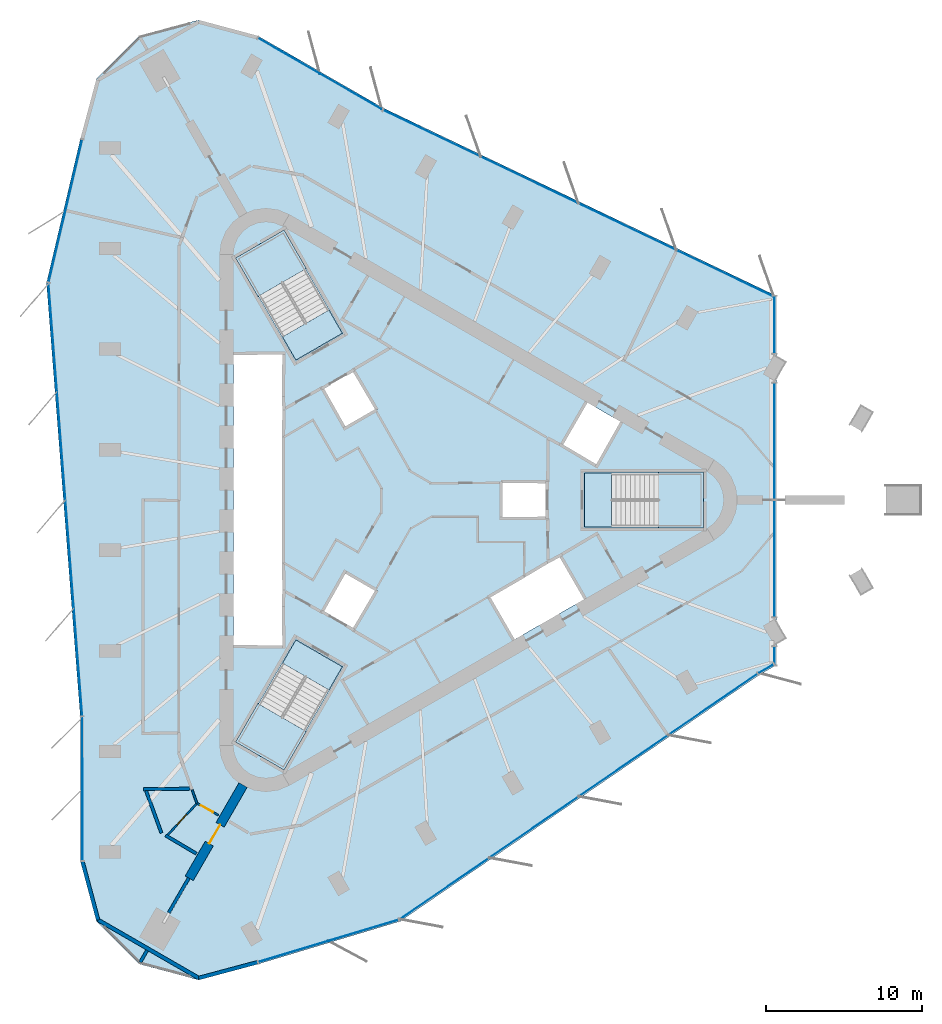
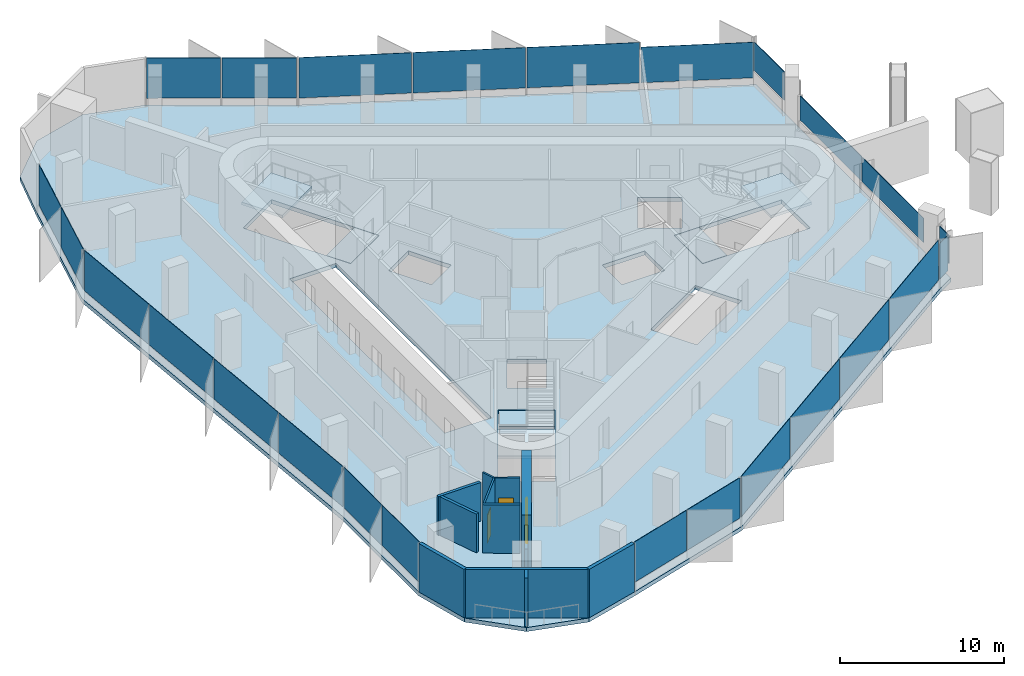
# One storey, part 6 of 12: 25 plates, 12 walls, 7 slabs, 3 doors, 3 openings, 14 elements without a shape of their own.
"""IFC4 building model written with IfcOpenShell, lengths in metres."""

from ifc_helpers import new_model, si_unit, direction, frame, frame_2d, origin, origin_2d, place, context, subcontext, project, spatial, polyline, rectangle, outline, extrude, material, layer, layer_set, type_object, element, fill, aggregate, save


model = new_model("IFC4")

# Units and contexts
model_context = context("Model", 3, precision=1e-05, world=origin(), true_north=direction((0.0, 1.0)))
body_context = subcontext(model_context, "Body", "Model", "MODEL_VIEW")
ifc_project = project(units=[si_unit("LENGTHUNIT", "METRE"), si_unit("AREAUNIT", "SQUARE_METRE"), si_unit("VOLUMEUNIT", "CUBIC_METRE"), si_unit("PLANEANGLEUNIT", "RADIAN"), si_unit("MASSUNIT", "GRAM", prefix="KILO")], contexts=[model_context])

# Site, building, storey
site_placement = place(None, origin())
site = spatial("IfcSite", under=ifc_project, at=site_placement, CompositionType="ELEMENT")
building_placement = place(site_placement, origin())
building = spatial("IfcBuilding", under=site, at=building_placement, Name="Tanit Gate Tower", CompositionType="ELEMENT")
storey_placement = place(building_placement, frame((0.0, 0.0, 368.89990234375)))
storey = spatial("IfcBuildingStorey", under=building, at=storey_placement, Name="L84", CompositionType="ELEMENT", Elevation=368.89990234375)

# Slab
ifc_material_1 = material(Name="Concrete C35/45", Category="concrete")
ifc_layer_1 = layer(ifc_material_1, 0.300048828125)
ifc_layer_set_1 = layer_set([ifc_layer_1], Name="FLOOR SLAB 300 C35/45")
slab_type_1 = type_object("IfcSlabType", Name="FLOOR SLAB 300 C35/45", PredefinedType="FLOOR", material=ifc_layer_set_1)
slab_1_placement = place(storey_placement, frame((0.0, 0.0, -0.2998046875)))
element("IfcSlab", 1, at=slab_1_placement, inside=storey, type_object=slab_type_1, Name="FLOOR SLAB L84", PredefinedType="FLOOR", context=body_context, shape_type="SweptSolid", body=[
    extrude(outline(polyline([(22.59765625, -11.23974609375), (-0.477783203125, -27.072998046875), (-9.62548828125, -29.8291015625), (-13.423583984375, -30.8466796875), (-17.2216796875, -29.8291015625), (-20.002197265625, -27.048583984375), (-21.02001953125, -23.25048828125), (-21.03271484375, -13.9501953125), (-23.207275390625, 13.9501953125), (-21.02001953125, 23.25048828125), (-20.002197265625, 27.048583984375), (-17.2216796875, 29.8291015625), (-13.423583984375, 30.8466796875), (-9.62548828125, 29.8291015625), (-1.56494140625, 25.18994140625), (23.684814453125, 13.122802734375), (30.6455078125, 6.57861328125), (23.699951171875, 13.108642578125), (23.699951171875, -10.601318359375), (30.6455078125, -6.57861328125), (22.59765625, -11.23974609375)]), holes=[polyline([(11.3701171875, 1.72998046875), (18.929931640625, 1.72998046875), (18.929931640625, -1.72998046875), (11.3701171875, -1.72998046875), (11.3701171875, 1.72998046875)]), polyline([(12.158935546875, 2.159912109375), (9.82080078125, 3.510009765625), (11.44580078125, 6.324462890625), (13.783935546875, 4.974609375), (12.158935546875, 2.159912109375)]), polyline([(11.44580078125, -6.324462890625), (6.76904296875, -9.0244140625), (5.14404296875, -6.2099609375), (9.82080078125, -3.510009765625), (11.44580078125, -6.324462890625)]), polyline([(6.0, 1.199951171875), (9.0, 1.199951171875), (9.0, -1.199951171875), (6.0, -1.199951171875), (6.0, 1.199951171875)]), polyline([(-4.039306640625, 4.59619140625), (-5.539306640625, 7.194091796875), (-3.460693359375, 8.394287109375), (-1.960693359375, 5.796142578125), (-4.039306640625, 4.59619140625)]), polyline([(-1.960693359375, -5.796142578125), (-3.460693359375, -8.394287109375), (-5.539306640625, -7.194091796875), (-4.039306640625, -4.59619140625), (-1.960693359375, -5.796142578125)]), polyline([(-7.18310546875, 8.981689453125), (-10.963134765625, 15.52880859375), (-7.966796875, 17.2587890625), (-4.186767578125, 10.711669921875), (-7.18310546875, 8.981689453125)]), polyline([(-4.186767578125, -10.711669921875), (-7.966796875, -17.2587890625), (-10.963134765625, -15.52880859375), (-7.18310546875, -8.981689453125), (-4.186767578125, -10.711669921875)]), polyline([(-11.199951171875, -9.449951171875), (-11.199951171875, 9.449951171875), (-7.949951171875, 9.449951171875), (-7.949951171875, -9.449951171875), (-11.199951171875, -9.449951171875)])]), origin(), (0.0, 0.0, 1.0), 0.2998046875),
])

# Curtain wall, plates
ifc_material_2 = material(Name="Aluminium bronze anodised and glass", Category="aluminium")
curtain_wall_type_1 = type_object("IfcCurtainWallType", Name="Curtain wall typical high", PredefinedType="NOTDEFINED", material=ifc_material_2)
curtain_wall_1_placement = place(storey_placement, origin())
curtain_wall_1 = element("IfcCurtainWall", 2, at=curtain_wall_1_placement, inside=storey, type_object=curtain_wall_type_1, Name="Curtain wall L84 NE2c", PredefinedType="NOTDEFINED")
ifc_material_3 = material(Name="Glass tinted", Category="glass")
ifc_layer_2 = layer(ifc_material_3, 0.028076171875)
ifc_layer_set_2 = layer_set([ifc_layer_2], Name="Glass panel 28 typical high")
plate_type_1 = type_object("IfcPlateType", Name="Glass panel 28 typical high", PredefinedType="CURTAIN_PANEL", material=ifc_layer_set_2)
plate_1_placement = place(storey_placement, frame((20.4033203125, 14.55810546875, 0.60009765625), z_axis=(0.0, 0.0, 1.0), x_axis=(-0.902257718288, 0.431197182029, 0.0)))
plate_1 = element("IfcPlate", 3, at=plate_1_placement, type_object=plate_type_1, Name="Glass panel L84 NE2c.1", PredefinedType="CURTAIN_PANEL", context=body_context, shape_type="SweptSolid", body=[
    extrude(rectangle(XDim=6.8828125, YDim=0.028076171875, at=origin_2d()), origin(), (0.0, 0.0, 1.0), 2.639892578125),
])
plate_2_placement = place(storey_placement, frame((14.120849609375, 17.560546875, 0.60009765625), z_axis=(0.0, 0.0, 1.0), x_axis=(-0.902257718288, 0.431197182029, 0.0)))
plate_2 = element("IfcPlate", 4, at=plate_2_placement, type_object=plate_type_1, Name="Glass panel L84 NE2c.2", PredefinedType="CURTAIN_PANEL", context=body_context, shape_type="SweptSolid", body=[
    extrude(rectangle(XDim=6.8828125, YDim=0.028076171875, at=origin_2d()), origin(), (0.0, 0.0, 1.0), 3.0),
])
plate_3_placement = place(storey_placement, frame((7.838623046875, 20.56298828125, 0.60009765625), z_axis=(0.0, 0.0, 1.0), x_axis=(-0.902257718288, 0.431197182029, 0.0)))
plate_3 = element("IfcPlate", 5, at=plate_3_placement, type_object=plate_type_1, Name="Glass panel L84 NE2c.3", PredefinedType="CURTAIN_PANEL", context=body_context, shape_type="SweptSolid", body=[
    extrude(rectangle(XDim=6.8828125, YDim=0.028076171875, at=origin_2d()), origin(), (0.0, 0.0, 1.0), 3.0),
])
plate_4_placement = place(storey_placement, frame((1.556396484375, 23.565185546875, 0.60009765625), z_axis=(0.0, 0.0, 1.0), x_axis=(-0.902257718288, 0.431197182029, 0.0)))
plate_4 = element("IfcPlate", 6, at=plate_4_placement, type_object=plate_type_1, Name="Glass panel L84 NE2c.4", PredefinedType="CURTAIN_PANEL", context=body_context, shape_type="SweptSolid", body=[
    extrude(rectangle(XDim=6.8828125, YDim=0.028076171875, at=origin_2d()), origin(), (0.0, 0.0, 1.0), 3.0),
])
aggregate(curtain_wall_1, [plate_1, plate_2, plate_3, plate_4])

curtain_wall_2_placement = place(storey_placement, origin())
curtain_wall_2 = element("IfcCurtainWall", 7, at=curtain_wall_2_placement, inside=storey, type_object=curtain_wall_type_1, Name="Curtain wall L84 NE3", PredefinedType="NOTDEFINED")
plate_5_placement = place(storey_placement, frame((-3.65087890625, 26.251953125, 0.60009765625), z_axis=(0.0, 0.0, 1.0), x_axis=(-0.866710478104, 0.498811534695, 0.0)))
plate_5 = element("IfcPlate", 8, at=plate_5_placement, type_object=plate_type_1, Name="Glass panel L84 NE3.1", PredefinedType="CURTAIN_PANEL", context=body_context, shape_type="SweptSolid", body=[
    extrude(rectangle(XDim=4.5244140625, YDim=0.028076171875, at=origin_2d()), origin(), (0.0, 0.0, 1.0), 3.0),
])
plate_6_placement = place(storey_placement, frame((-7.641845703125, 28.548828125, 0.60009765625), z_axis=(0.0, 0.0, 1.0), x_axis=(-0.866710478104, 0.498811534695, 0.0)))
plate_6 = element("IfcPlate", 9, at=plate_6_placement, type_object=plate_type_1, Name="Glass panel L84 NE3.2", PredefinedType="CURTAIN_PANEL", context=body_context, shape_type="SweptSolid", body=[
    extrude(rectangle(XDim=4.524658203125, YDim=0.028076171875, at=origin_2d()), origin(), (0.0, 0.0, 1.0), 3.0),
])
aggregate(curtain_wall_2, [plate_5, plate_6])

curtain_wall_3_placement = place(storey_placement, origin())
curtain_wall_3 = element("IfcCurtainWall", 10, at=curtain_wall_3_placement, inside=storey, type_object=curtain_wall_type_1, Name="Curtain wall L84 W1", PredefinedType="NOTDEFINED")
plate_7_placement = place(storey_placement, frame((-21.45361328125, 20.8818359375, 0.60009765625), z_axis=(0.0, 0.0, 1.0), x_axis=(-0.228936006103, -0.973441474928, 0.0)))
plate_7 = element("IfcPlate", 11, at=plate_7_placement, type_object=plate_type_1, Name="Glass panel L84 W1.1", PredefinedType="CURTAIN_PANEL", context=body_context, shape_type="SweptSolid", body=[
    extrude(rectangle(XDim=4.646728515625, YDim=0.028076171875, at=origin_2d()), origin(), (0.0, 0.0, 1.0), 3.0),
])
plate_8_placement = place(storey_placement, frame((-22.535888671875, 16.280517578125, 0.60009765625), z_axis=(0.0, 0.0, 1.0), x_axis=(-0.228936006103, -0.973441474928, 0.0)))
plate_8 = element("IfcPlate", 12, at=plate_8_placement, type_object=plate_type_1, Name="Glass panel L84 W1.2", PredefinedType="CURTAIN_PANEL", context=body_context, shape_type="SweptSolid", body=[
    extrude(rectangle(XDim=4.646728515625, YDim=0.028076171875, at=origin_2d()), origin(), (0.0, 0.0, 1.0), 3.0),
])
aggregate(curtain_wall_3, [plate_7, plate_8])

curtain_wall_4_placement = place(storey_placement, origin())
curtain_wall_4 = element("IfcCurtainWall", 13, at=curtain_wall_4_placement, inside=storey, type_object=curtain_wall_type_1, Name="Curtain wall L84 W2", PredefinedType="NOTDEFINED")
plate_9_placement = place(storey_placement, frame((-22.81201171875, 10.42529296875, 0.60009765625), z_axis=(0.0, 0.0, 1.0), x_axis=(0.077701145467, -0.996976695812, 0.0)))
plate_9 = element("IfcPlate", 14, at=plate_9_placement, type_object=plate_type_1, Name="Glass panel L84 W2.1", PredefinedType="CURTAIN_PANEL", context=body_context, shape_type="SweptSolid", body=[
    extrude(rectangle(XDim=6.892822265625, YDim=0.028076171875, at=origin_2d()), origin(), (0.0, 0.0, 1.0), 3.0),
])
plate_10_placement = place(storey_placement, frame((-22.270263671875, 3.4736328125, 0.60009765625), z_axis=(0.0, 0.0, 1.0), x_axis=(0.077701145467, -0.996976695812, 0.0)))
plate_10 = element("IfcPlate", 15, at=plate_10_placement, type_object=plate_type_1, Name="Glass panel L84 W2.2", PredefinedType="CURTAIN_PANEL", context=body_context, shape_type="SweptSolid", body=[
    extrude(rectangle(XDim=6.892822265625, YDim=0.028076171875, at=origin_2d()), origin(), (0.0, 0.0, 1.0), 3.0),
])
plate_11_placement = place(storey_placement, frame((-21.728515625, -3.478271484375, 0.60009765625), z_axis=(0.0, 0.0, 1.0), x_axis=(0.077701145467, -0.996976695812, 0.0)))
plate_11 = element("IfcPlate", 16, at=plate_11_placement, type_object=plate_type_1, Name="Glass panel L84 W2.3", PredefinedType="CURTAIN_PANEL", context=body_context, shape_type="SweptSolid", body=[
    extrude(rectangle(XDim=6.892822265625, YDim=0.028076171875, at=origin_2d()), origin(), (0.0, 0.0, 1.0), 3.0),
])
plate_12_placement = place(storey_placement, frame((-21.186767578125, -10.429931640625, 0.60009765625), z_axis=(0.0, 0.0, 1.0), x_axis=(0.077701145467, -0.996976695812, 0.0)))
plate_12 = element("IfcPlate", 17, at=plate_12_placement, type_object=plate_type_1, Name="Glass panel L84 W2.4", PredefinedType="CURTAIN_PANEL", context=body_context, shape_type="SweptSolid", body=[
    extrude(rectangle(XDim=6.892578125, YDim=0.028076171875, at=origin_2d()), origin(), (0.0, 0.0, 1.0), 3.0),
])
aggregate(curtain_wall_4, [plate_9, plate_10, plate_11, plate_12])

curtain_wall_5_placement = place(storey_placement, origin())
curtain_wall_5 = element("IfcCurtainWall", 18, at=curtain_wall_5_placement, inside=storey, type_object=curtain_wall_type_1, Name="Curtain wall L84 W3", PredefinedType="NOTDEFINED")
plate_13_placement = place(storey_placement, frame((-20.909423828125, -16.287841796875, 0.60009765625), z_axis=(0.0, 0.0, 1.0), x_axis=(0.001371778306, -0.999999059112, 0.0)))
plate_13 = element("IfcPlate", 19, at=plate_13_placement, type_object=plate_type_1, Name="Glass panel L84 W3.1", PredefinedType="CURTAIN_PANEL", context=body_context, shape_type="SweptSolid", body=[
    extrude(rectangle(XDim=4.5244140625, YDim=0.028076171875, at=origin_2d()), origin(), (0.0, 0.0, 1.0), 3.0),
])
plate_14_placement = place(storey_placement, frame((-20.903076171875, -20.892333984375, 0.60009765625), z_axis=(0.0, 0.0, 1.0), x_axis=(0.001371778306, -0.999999059112, 0.0)))
plate_14 = element("IfcPlate", 20, at=plate_14_placement, type_object=plate_type_1, Name="Glass panel L84 W3.2", PredefinedType="CURTAIN_PANEL", context=body_context, shape_type="SweptSolid", body=[
    extrude(rectangle(XDim=4.524658203125, YDim=0.028076171875, at=origin_2d()), origin(), (0.0, 0.0, 1.0), 3.0),
])
aggregate(curtain_wall_5, [plate_13, plate_14])

curtain_wall_6_placement = place(storey_placement, origin())
curtain_wall_6 = element("IfcCurtainWall", 21, at=curtain_wall_6_placement, inside=storey, type_object=curtain_wall_type_1, Name="Curtain wall L84 SE1", PredefinedType="NOTDEFINED")
plate_15_placement = place(storey_placement, frame((-7.357177734375, -29.020263671875, 0.60009765625), z_axis=(0.0, 0.0, 1.0), x_axis=(0.957493049436, 0.288456340338, 0.0)))
plate_15 = element("IfcPlate", 22, at=plate_15_placement, type_object=plate_type_1, Name="Glass panel L84 SE1.1", PredefinedType="CURTAIN_PANEL", context=body_context, shape_type="SweptSolid", body=[
    extrude(rectangle(XDim=4.646728515625, YDim=0.028076171875, at=origin_2d()), origin(), (0.0, 0.0, 1.0), 3.0),
])
plate_16_placement = place(storey_placement, frame((-2.83154296875, -27.656982421875, 0.60009765625), z_axis=(0.0, 0.0, 1.0), x_axis=(0.957493049436, 0.288456340338, 0.0)))
plate_16 = element("IfcPlate", 23, at=plate_16_placement, type_object=plate_type_1, Name="Glass panel L84 SE1.2", PredefinedType="CURTAIN_PANEL", context=body_context, shape_type="SweptSolid", body=[
    extrude(rectangle(XDim=4.646728515625, YDim=0.028076171875, at=origin_2d()), origin(), (0.0, 0.0, 1.0), 3.0),
])
aggregate(curtain_wall_6, [plate_15, plate_16])

curtain_wall_7_placement = place(storey_placement, origin())
curtain_wall_7 = element("IfcCurtainWall", 24, at=curtain_wall_7_placement, inside=storey, type_object=curtain_wall_type_1, Name="Curtain wall L84 SE2", PredefinedType="NOTDEFINED")
plate_17_placement = place(storey_placement, frame((2.37744140625, -24.968505859375, 0.60009765625), z_axis=(0.0, 0.0, 1.0), x_axis=(0.824556572821, 0.565779513784, 0.0)))
plate_17 = element("IfcPlate", 25, at=plate_17_placement, type_object=plate_type_1, Name="Glass panel L84 SE2.1", PredefinedType="CURTAIN_PANEL", context=body_context, shape_type="SweptSolid", body=[
    extrude(rectangle(XDim=6.892822265625, YDim=0.028076171875, at=origin_2d()), origin(), (0.0, 0.0, 1.0), 3.0),
])
plate_18_placement = place(storey_placement, frame((8.126953125, -21.0234375, 0.60009765625), z_axis=(0.0, 0.0, 1.0), x_axis=(0.824556572821, 0.565779513784, 0.0)))
plate_18 = element("IfcPlate", 26, at=plate_18_placement, type_object=plate_type_1, Name="Glass panel L84 SE2.2", PredefinedType="CURTAIN_PANEL", context=body_context, shape_type="SweptSolid", body=[
    extrude(rectangle(XDim=6.892822265625, YDim=0.028076171875, at=origin_2d()), origin(), (0.0, 0.0, 1.0), 3.0),
])
plate_19_placement = place(storey_placement, frame((13.87646484375, -17.078369140625, 0.60009765625), z_axis=(0.0, 0.0, 1.0), x_axis=(0.824556572821, 0.565779513784, 0.0)))
plate_19 = element("IfcPlate", 27, at=plate_19_placement, type_object=plate_type_1, Name="Glass panel L84 SE2.3", PredefinedType="CURTAIN_PANEL", context=body_context, shape_type="SweptSolid", body=[
    extrude(rectangle(XDim=6.892822265625, YDim=0.028076171875, at=origin_2d()), origin(), (0.0, 0.0, 1.0), 3.0),
])
plate_20_placement = place(storey_placement, frame((19.625732421875, -13.13330078125, 0.60009765625), z_axis=(0.0, 0.0, 1.0), x_axis=(0.824556572821, 0.565779513784, 0.0)))
plate_20 = element("IfcPlate", 28, at=plate_20_placement, type_object=plate_type_1, Name="Glass panel L84 SE2.4", PredefinedType="CURTAIN_PANEL", context=body_context, shape_type="SweptSolid", body=[
    extrude(rectangle(XDim=6.892578125, YDim=0.028076171875, at=origin_2d()), origin(), (0.0, 0.0, 1.0), 3.0),
])
aggregate(curtain_wall_7, [plate_17, plate_18, plate_19, plate_20])

# Curtain wall, plate
curtain_wall_8_placement = place(storey_placement, origin())
curtain_wall_8 = element("IfcCurtainWall", 29, at=curtain_wall_8_placement, inside=storey, type_object=curtain_wall_type_1, Name="Curtain wall L84 SE3c", PredefinedType="NOTDEFINED")
plate_21_placement = place(storey_placement, frame((23.05712890625, -10.8349609375, 0.60009765625), z_axis=(0.0, 0.0, 1.0), x_axis=(0.865338699798, 0.501187524417, 0.0)))
plate_21 = element("IfcPlate", 30, at=plate_21_placement, type_object=plate_type_1, Name="Glass panel L84 SE3c.1", PredefinedType="CURTAIN_PANEL", context=body_context, shape_type="SweptSolid", body=[
    extrude(rectangle(XDim=1.0498046875, YDim=0.028076171875, at=origin_2d()), origin(), (0.0, 0.0, 1.0), 2.639892578125),
])
aggregate(curtain_wall_8, [plate_21])

ifc_material_4 = material(Name="Aluminium bronze anodised and glass", Category="aluminium")
curtain_wall_type_2 = type_object("IfcCurtainWallType", Name="Curtain wall portal glazing", PredefinedType="NOTDEFINED", material=ifc_material_4)
curtain_wall_9_placement = place(storey_placement, origin())
curtain_wall_9 = element("IfcCurtainWall", 31, at=curtain_wall_9_placement, inside=storey, type_object=curtain_wall_type_2, Name="Curtain wall L84 NOTCH1", PredefinedType="NOTDEFINED")
ifc_material_5 = material(Name="Glass tinted laminated safety", Category="glass")
ifc_layer_3 = layer(ifc_material_5, 0.0439453125)
ifc_layer_set_3 = layer_set([ifc_layer_3], Name="Glass panel 44 portal glazing")
plate_type_2 = type_object("IfcPlateType", Name="Glass panel 44 portal glazing", PredefinedType="CURTAIN_PANEL", material=ifc_layer_set_3)
plate_22_placement = place(storey_placement, frame((23.580078125, 11.2685546875, 1.10009765625), z_axis=(0.0, 0.0, 1.0), x_axis=(0.0, -1.0, 0.0)))
plate_22 = element("IfcPlate", 32, at=plate_22_placement, type_object=plate_type_2, Name="Glass panel L84 NOTCH1.1", PredefinedType="CURTAIN_PANEL", context=body_context, shape_type="SweptSolid", body=[
    extrude(rectangle(XDim=3.647705078125, YDim=0.0439453125, at=origin_2d()), origin(), (0.0, 0.0, 1.0), 2.110107421875),
])
aggregate(curtain_wall_9, [plate_22])

# Curtain wall, plates
curtain_wall_10_placement = place(storey_placement, origin())
curtain_wall_10 = element("IfcCurtainWall", 33, at=curtain_wall_10_placement, inside=storey, type_object=curtain_wall_type_2, Name="Curtain wall L84 NOTCH2", PredefinedType="NOTDEFINED")
plate_23_placement = place(storey_placement, frame((23.580078125, 3.77001953125, 0.800048828125), z_axis=(0.0, 0.0, 1.0), x_axis=(0.0, -1.0, 0.0)))
plate_23 = element("IfcPlate", 34, at=plate_23_placement, type_object=plate_type_2, Name="Glass panel L84 NOTCH2.1", PredefinedType="CURTAIN_PANEL", context=body_context, shape_type="SweptSolid", body=[
    extrude(rectangle(XDim=7.460205078125, YDim=0.0439453125, at=origin_2d()), origin(), (0.0, 0.0, 1.0), 1.81005859375),
])
plate_24_placement = place(storey_placement, frame((23.580078125, -3.77001953125, 0.800048828125), z_axis=(0.0, 0.0, 1.0), x_axis=(0.0, -1.0, 0.0)))
plate_24 = element("IfcPlate", 35, at=plate_24_placement, type_object=plate_type_2, Name="Glass panel L84 NOTCH2.2", PredefinedType="CURTAIN_PANEL", context=body_context, shape_type="SweptSolid", body=[
    extrude(rectangle(XDim=7.460205078125, YDim=0.0439453125, at=origin_2d()), origin(), (0.0, 0.0, 1.0), 1.81005859375),
])
aggregate(curtain_wall_10, [plate_23, plate_24])

# Curtain wall, plate
curtain_wall_11_placement = place(storey_placement, origin())
curtain_wall_11 = element("IfcCurtainWall", 36, at=curtain_wall_11_placement, inside=storey, type_object=curtain_wall_type_2, Name="Curtain wall L84 NOTCH3", PredefinedType="NOTDEFINED")
plate_25_placement = place(storey_placement, frame((23.580078125, -10.017333984375, 1.10009765625), z_axis=(0.0, 0.0, 1.0), x_axis=(0.0, -1.0, 0.0)))
plate_25 = element("IfcPlate", 37, at=plate_25_placement, type_object=plate_type_2, Name="Glass panel L84 NOTCH3.1", PredefinedType="CURTAIN_PANEL", context=body_context, shape_type="SweptSolid", body=[
    extrude(rectangle(XDim=1.1455078125, YDim=0.0439453125, at=origin_2d()), origin(), (0.0, 0.0, 1.0), 2.110107421875),
])
aggregate(curtain_wall_11, [plate_25])

# Stair, slab
ifc_material_6 = material(Name="Concrete C40/50", Category="concrete")
stair_type = type_object("IfcStairType", Name="INT-STAIR-EXIT", PredefinedType="HALF_TURN_STAIR", material=ifc_material_6)
stair_1_placement = place(storey_placement, origin())
stair_1 = element("IfcStair", 38, at=stair_1_placement, inside=storey, type_object=stair_type, Name="L84 STAIR S1", PredefinedType="HALF_TURN_STAIR")
ifc_material_7 = material(Name="Concrete C40/50", Category="concrete")
ifc_layer_4 = layer(ifc_material_7, 0.199951171875)
ifc_layer_set_4 = layer_set([ifc_layer_4], Name="INT-STAIR-LANDING")
slab_type_2 = type_object("IfcSlabType", Name="INT-STAIR-LANDING", PredefinedType="LANDING", material=ifc_layer_set_4)
slab_2_placement = place(storey_placement, frame((0.0, 0.0, 1.75)))
slab_2 = element("IfcSlab", 39, at=slab_2_placement, type_object=slab_type_2, Name="S1 landing 1", PredefinedType="LANDING", context=body_context, shape_type="SweptSolid", body=[
    extrude(outline(polyline([(16.135986328125, -1.800048828125), (19.0, -1.800048828125), (19.0, 1.800048828125), (16.135986328125, 1.800048828125), (16.135986328125, -1.800048828125)])), origin(), (0.0, 0.0, 1.0), 0.2001953125),
])
aggregate(stair_1, [slab_2])

# Slab
slab_3_placement = place(storey_placement, frame((0.0, 0.0, -0.199951171875)))
element("IfcSlab", 40, at=slab_3_placement, inside=storey, type_object=slab_type_2, Name="S1 floor landing", PredefinedType="LANDING", context=body_context, shape_type="SweptSolid", body=[
    extrude(outline(polyline([(11.3798828125, -1.719970703125), (13.10498046875, -1.719970703125), (13.10498046875, 1.719970703125), (11.3798828125, 1.719970703125), (11.3798828125, -1.719970703125)])), origin(), (0.0, 0.0, 1.0), 0.199951171875),
])

# Stair, slab
stair_2_placement = place(storey_placement, origin())
stair_2 = element("IfcStair", 41, at=stair_2_placement, inside=storey, type_object=stair_type, Name="L84 STAIR S2", PredefinedType="HALF_TURN_STAIR")
slab_4_placement = place(storey_placement, frame((0.0, 0.0, 1.75)))
slab_4 = element("IfcSlab", 42, at=slab_4_placement, type_object=slab_type_2, Name="S2 landing 1", PredefinedType="LANDING", context=body_context, shape_type="SweptSolid", body=[
    extrude(outline(polyline([(-6.5078125, 14.871826171875), (-7.941162109375, 17.3544921875), (-11.058837890625, 15.554443359375), (-9.62548828125, 13.07177734375), (-6.5078125, 14.871826171875)])), origin(), (0.0, 0.0, 1.0), 0.2001953125),
])
aggregate(stair_2, [slab_4])

# Slab
slab_5_placement = place(storey_placement, frame((0.0, 0.0, -0.199951171875)))
element("IfcSlab", 43, at=slab_5_placement, inside=storey, type_object=slab_type_2, Name="S2 floor landing", PredefinedType="LANDING", context=body_context, shape_type="SweptSolid", body=[
    extrude(outline(polyline([(-4.200439453125, 10.71533203125), (-5.0625, 12.20849609375), (-8.04150390625, 10.48828125), (-7.179443359375, 8.995361328125), (-4.200439453125, 10.71533203125)])), origin(), (0.0, 0.0, 1.0), 0.199951171875),
])

# Stair, slab
stair_3_placement = place(storey_placement, origin())
stair_3 = element("IfcStair", 44, at=stair_3_placement, inside=storey, type_object=stair_type, Name="L84 STAIR S3", PredefinedType="HALF_TURN_STAIR")
slab_6_placement = place(storey_placement, frame((0.0, 0.0, 1.75)))
slab_6 = element("IfcSlab", 45, at=slab_6_placement, type_object=slab_type_2, Name="S3 landing 1", PredefinedType="LANDING", context=body_context, shape_type="SweptSolid", body=[
    extrude(outline(polyline([(-9.626953125, -13.07421875), (-11.058837890625, -15.554443359375), (-7.941162109375, -17.3544921875), (-6.509033203125, -14.874267578125), (-9.626953125, -13.07421875)])), origin(), (0.0, 0.0, 1.0), 0.2001953125),
])
aggregate(stair_3, [slab_6])

# Slab
slab_7_placement = place(storey_placement, frame((0.0, 0.0, -0.199951171875)))
element("IfcSlab", 46, at=slab_7_placement, inside=storey, type_object=slab_type_2, Name="S3 floor landing", PredefinedType="LANDING", context=body_context, shape_type="SweptSolid", body=[
    extrude(outline(polyline([(-7.179443359375, -8.995361328125), (-8.0419921875, -10.4892578125), (-5.06298828125, -12.209228515625), (-4.200439453125, -10.71533203125), (-7.179443359375, -8.995361328125)])), origin(), (0.0, 0.0, 1.0), 0.199951171875),
])

# Wall, opening, door
ifc_material_8 = material(Name="Concrete C40/50", Category="concrete")
ifc_layer_5 = layer(ifc_material_8, 0.60009765625)
ifc_layer_set_5 = layer_set([ifc_layer_5], Name="BUTTRESS FIN 600 C40/50")
wall_type_1 = type_object("IfcWallType", Name="BUTTRESS FIN 600 C40/50", PredefinedType="SHEAR", material=ifc_layer_set_5)
wall_1_placement = place(storey_placement, frame((-10.574951171875, -18.31640625, 0.0), z_axis=(0.0, 0.0, 1.0), x_axis=(-0.499997253739, -0.866026989333, 0.0)))
wall_1 = element("IfcWall", 47, at=wall_1_placement, inside=storey, type_object=wall_type_1, Name="BUTTRESS FIN", PredefinedType="SHEAR", context=body_context, shape_type="SweptSolid", body=[
    extrude(rectangle(XDim=6.92138671875, YDim=0.60009765625, at=frame_2d((3.460693359375, 0.0))), origin(), (0.0, 0.0, 1.0), 3.900146484375),
])
opening_1_placement = place(wall_1_placement, frame((2.949951171875, 0.0, 0.0)))
opening_1 = element("IfcOpeningElement", 48, at=opening_1_placement, cuts=wall_1, Name="Opening P14-84-F-SW-1", PredefinedType="OPENING", context=body_context, shape_type="SweptSolid", body=[
    extrude(rectangle(XDim=1.39990234375, YDim=2.39990234375, at=frame_2d((0.699951171875, 1.199951171875))), frame((0.0, 0.31005859375, 0.0), z_axis=(0.0, -1.0, 0.0), x_axis=(1.0, 0.0, 0.0)), (0.0, 0.0, 1.0), 0.6201171875),
])
ifc_material_9 = material(Name="Timber door leaf", Category="wood")
door_type_1 = type_object("IfcDoorType", Name="INT-DOOR-FIN-PAIR-1400", OperationType="NOTDEFINED", PredefinedType="NOTDEFINED", material=ifc_material_9)
door_1_placement = place(opening_1_placement, origin())
door_1 = element("IfcDoor", 49, at=door_1_placement, inside=storey, type_object=door_type_1, Name="Door P14-84-F-SW-1", OperationType="DOUBLE_DOOR_SINGLE_SWING", OverallHeight=2.39990234375, OverallWidth=1.39990234375, PredefinedType="NOTDEFINED", context=body_context, shape_type="SweptSolid", body=[
    extrude(rectangle(XDim=1.39990234375, YDim=2.39990234375, at=frame_2d((0.699951171875, 1.199951171875))), frame((0.0, 0.02490234375, 0.0), z_axis=(0.0, -1.0, 0.0), x_axis=(1.0, 0.0, 0.0)), (0.0, 0.0, 1.0), 0.050048828125),
])
fill(opening_1, door_1)

# Walls
ifc_material_10 = material(Name="Concrete C30/37 with bronze anodised aluminium cladding", Category="concrete")
ifc_layer_6 = layer(ifc_material_10, 0.239990234375)
ifc_layer_set_6 = layer_set([ifc_layer_6], Name="Facade wall bronze clad 240")
wall_type_2 = type_object("IfcWallType", Name="Facade wall bronze clad 240", PredefinedType="SOLIDWALL", material=ifc_layer_set_6)
wall_2_placement = place(storey_placement, frame((-20.89990234375, -23.234619140625, 0.0), z_axis=(0.0, 0.0, 1.0), x_axis=(0.258828240872, -0.965923362243, 0.0)))
element("IfcWall", 50, at=wall_2_placement, inside=storey, type_object=wall_type_2, Name="Bronze-clad facade wall L84 SW.arc1", PredefinedType="SOLIDWALL", context=body_context, shape_type="SweptSolid", body=[
    extrude(rectangle(XDim=3.88427734375, YDim=0.239990234375, at=frame_2d((1.942138671875, 0.0))), origin(), (0.0, 0.0, 1.0), 3.60009765625),
])
wall_3_placement = place(storey_placement, frame((-19.89453125, -26.986572265625, 0.0), z_axis=(0.0, 0.0, 1.0), x_axis=(0.866034867299, -0.499983608354, 0.0)))
element("IfcWall", 51, at=wall_3_placement, inside=storey, type_object=wall_type_2, Name="Bronze-clad facade wall L84 SW.arc2", PredefinedType="SOLIDWALL", context=body_context, shape_type="SweptSolid", body=[
    extrude(rectangle(XDim=7.471923828125, YDim=0.239990234375, at=frame_2d((3.73583984375, 0.0))), origin(), (0.0, 0.0, 1.0), 3.60009765625),
])
wall_4_placement = place(storey_placement, frame((-13.423583984375, -30.722412109375, 0.0), z_axis=(0.0, 0.0, 1.0), x_axis=(0.965930718492, 0.258800786462, 0.0)))
element("IfcWall", 52, at=wall_4_placement, inside=storey, type_object=wall_type_2, Name="Bronze-clad facade wall L84 SW.arc3", PredefinedType="SOLIDWALL", context=body_context, shape_type="SweptSolid", body=[
    extrude(rectangle(XDim=3.89794921875, YDim=0.239990234375, at=frame_2d((1.948974609375, 0.0))), origin(), (0.0, 0.0, 1.0), 3.60009765625),
])
ifc_material_11 = material(Name="Fire-rated gypsum board partition")
ifc_layer_7 = layer(ifc_material_11, 0.199951171875)
ifc_layer_set_7 = layer_set([ifc_layer_7], Name="INT-WALL-COMPARTMENT")
wall_type_3 = type_object("IfcWallType", Name="INT-WALL-COMPARTMENT", PredefinedType="PARTITIONING", material=ifc_layer_set_7)
wall_5_placement = place(storey_placement, frame((-16.989013671875, -18.586181640625, 0.0), z_axis=(0.0, 0.0, 1.0), x_axis=(0.999934280169, 0.011464525411, 0.0)))
element("IfcWall", 53, at=wall_5_placement, inside=storey, type_object=wall_type_3, Name="Wall Compartment W101", PredefinedType="PARTITIONING", context=body_context, shape_type="SweptSolid", body=[
    extrude(rectangle(XDim=3.002685546875, YDim=0.199951171875, at=frame_2d((1.50146484375, 0.0))), origin(), (0.0, 0.0, 1.0), 2.880126953125),
])
wall_6_placement = place(storey_placement, frame((-16.811767578125, -18.68408203125, 0.0), z_axis=(0.0, 0.0, 1.0), x_axis=(0.342061534791, -0.939677554492, 0.0)))
element("IfcWall", 54, at=wall_6_placement, inside=storey, type_object=wall_type_3, Name="Wall Compartment W102", PredefinedType="PARTITIONING", context=body_context, shape_type="SweptSolid", body=[
    extrude(rectangle(XDim=2.892822265625, YDim=0.199951171875, at=frame_2d((1.4462890625, 0.0))), origin(), (0.0, 0.0, 1.0), 2.880126953125),
])
wall_7_placement = place(storey_placement, frame((-15.556396484375, -21.554931640625, 0.0), z_axis=(0.0, 0.0, 1.0), x_axis=(0.860231044601, -0.50990445174, 0.0)))
element("IfcWall", 55, at=wall_7_placement, inside=storey, type_object=wall_type_3, Name="Wall Compartment W103", PredefinedType="PARTITIONING", context=body_context, shape_type="SweptSolid", body=[
    extrude(rectangle(XDim=2.294921875, YDim=0.199951171875, at=frame_2d((1.1474609375, 0.0))), origin(), (0.0, 0.0, 1.0), 3.60009765625),
])
wall_8_placement = place(storey_placement, frame((-17.181640625, -29.699462890625, 0.0), z_axis=(0.0, 0.0, 1.0), x_axis=(0.499988720078, 0.866031916153, 0.0)))
element("IfcWall", 56, at=wall_8_placement, inside=storey, type_object=wall_type_3, Name="Wall Compartment W104", PredefinedType="PARTITIONING", context=body_context, shape_type="SweptSolid", body=[
    extrude(rectangle(XDim=0.873046875, YDim=0.199951171875, at=frame_2d((0.4365234375, 0.0))), origin(), (0.0, 0.0, 1.0), 3.60009765625),
])
wall_9_placement = place(storey_placement, frame((-15.347900390625, -26.523193359375, 0.0), z_axis=(0.0, 0.0, 1.0), x_axis=(0.500018234033, 0.866014876105, 0.0)))
element("IfcWall", 57, at=wall_9_placement, inside=storey, type_object=wall_type_3, Name="Wall Compartment W105", PredefinedType="PARTITIONING", context=body_context, shape_type="SweptSolid", body=[
    extrude(rectangle(XDim=2.572265625, YDim=0.199951171875, at=frame_2d((1.2861328125, 0.0))), origin(), (0.0, 0.0, 1.0), 3.170166015625),
])
ifc_material_12 = material(Name="Gypsum board partition")
ifc_layer_8 = layer(ifc_material_12, 0.1201171875)
ifc_layer_set_8 = layer_set([ifc_layer_8], Name="INT-WALL-PARTITION")
wall_type_4 = type_object("IfcWallType", Name="INT-WALL-PARTITION", PredefinedType="PARTITIONING", material=ifc_layer_set_8)
wall_10_placement = place(storey_placement, frame((-13.844482421875, -18.650146484375, 0.0), z_axis=(0.0, 0.0, 1.0), x_axis=(0.342095186489, -0.939665303915, 0.0)))
element("IfcWall", 58, at=wall_10_placement, inside=storey, type_object=wall_type_4, Name="Wall Partition W093", PredefinedType="PARTITIONING", context=body_context, shape_type="SweptSolid", body=[
    extrude(rectangle(XDim=0.890625, YDim=0.1201171875, at=frame_2d((0.4453125, 0.0))), origin(), (0.0, 0.0, 1.0), 3.60009765625),
])

# Wall, opening, door
wall_11_placement = place(storey_placement, frame((-13.574462890625, -19.468017578125, 0.0), z_axis=(0.0, 0.0, 1.0), x_axis=(0.873546035651, -0.48674153675, 0.0)))
wall_11 = element("IfcWall", 59, at=wall_11_placement, inside=storey, type_object=wall_type_4, Name="Wall Partition W094", PredefinedType="PARTITIONING", context=body_context, shape_type="SweptSolid", body=[
    extrude(rectangle(XDim=1.6220703125, YDim=0.1201171875, at=frame_2d((0.81103515625, 0.0))), origin(), (0.0, 0.0, 1.0), 3.60009765625),
])
opening_2_placement = place(wall_11_placement, frame((0.320556640625, 0.0, 0.0)))
opening_2 = element("IfcOpeningElement", 60, at=opening_2_placement, cuts=wall_11, Name="Opening D09-84-27", PredefinedType="OPENING", context=body_context, shape_type="SweptSolid", body=[
    extrude(rectangle(XDim=0.89990234375, YDim=2.10009765625, at=frame_2d((0.449951171875, 1.050048828125))), frame((0.0, 0.070068359375, 0.0), z_axis=(0.0, -1.0, 0.0), x_axis=(1.0, 0.0, 0.0)), (0.0, 0.0, 1.0), 0.14013671875),
])
ifc_material_13 = material(Name="Timber door leaf", Category="wood")
door_type_2 = type_object("IfcDoorType", Name="INT-DOOR-SINGLE-900", OperationType="NOTDEFINED", PredefinedType="NOTDEFINED", material=ifc_material_13)
door_2_placement = place(opening_2_placement, origin())
door_2 = element("IfcDoor", 61, at=door_2_placement, inside=storey, type_object=door_type_2, Name="Door D09-84-27", OperationType="SINGLE_SWING_LEFT", OverallHeight=2.10009765625, OverallWidth=0.89990234375, PredefinedType="NOTDEFINED", context=body_context, shape_type="SweptSolid", body=[
    extrude(rectangle(XDim=0.89990234375, YDim=2.10009765625, at=frame_2d((0.449951171875, 1.050048828125))), frame((0.0, 0.02490234375, 0.0), z_axis=(0.0, -1.0, 0.0), x_axis=(1.0, 0.0, 0.0)), (0.0, 0.0, 1.0), 0.050048828125),
])
fill(opening_2, door_2)

wall_12_placement = place(storey_placement, frame((-13.5751953125, -19.5361328125, 0.0), z_axis=(0.0, 0.0, 1.0), x_axis=(-0.679724439744, -0.733467576662, 0.0)))
wall_12 = element("IfcWall", 62, at=wall_12_placement, inside=storey, type_object=wall_type_4, Name="Wall Partition W106", PredefinedType="PARTITIONING", context=body_context, shape_type="SweptSolid", body=[
    extrude(rectangle(XDim=2.70751953125, YDim=0.1201171875, at=frame_2d((1.353759765625, 0.0))), origin(), (0.0, 0.0, 1.0), 3.60009765625),
])
opening_3_placement = place(wall_12_placement, frame((0.938232421875, 0.0, 0.0)))
opening_3 = element("IfcOpeningElement", 63, at=opening_3_placement, cuts=wall_12, Name="Opening D09-84-21", PredefinedType="OPENING", context=body_context, shape_type="SweptSolid", body=[
    extrude(rectangle(XDim=0.89990234375, YDim=2.10009765625, at=frame_2d((0.449951171875, 1.050048828125))), frame((0.0, 0.070068359375, 0.0), z_axis=(0.0, -1.0, 0.0), x_axis=(1.0, 0.0, 0.0)), (0.0, 0.0, 1.0), 0.14013671875),
])
door_3_placement = place(opening_3_placement, origin())
door_3 = element("IfcDoor", 64, at=door_3_placement, inside=storey, type_object=door_type_2, Name="Door D09-84-21", OperationType="SINGLE_SWING_LEFT", OverallHeight=2.10009765625, OverallWidth=0.89990234375, PredefinedType="NOTDEFINED", context=body_context, shape_type="SweptSolid", body=[
    extrude(rectangle(XDim=0.89990234375, YDim=2.10009765625, at=frame_2d((0.449951171875, 1.050048828125))), frame((0.0, 0.02490234375, 0.0), z_axis=(0.0, -1.0, 0.0), x_axis=(1.0, 0.0, 0.0)), (0.0, 0.0, 1.0), 0.050048828125),
])
fill(opening_3, door_3)

save(model, "model.ifc")
